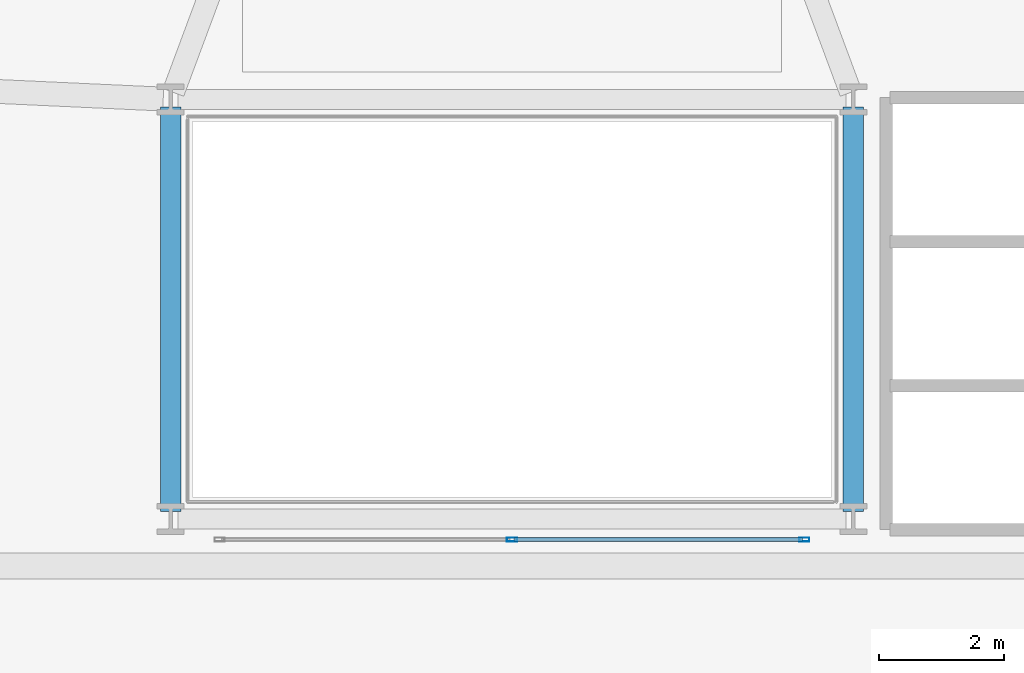
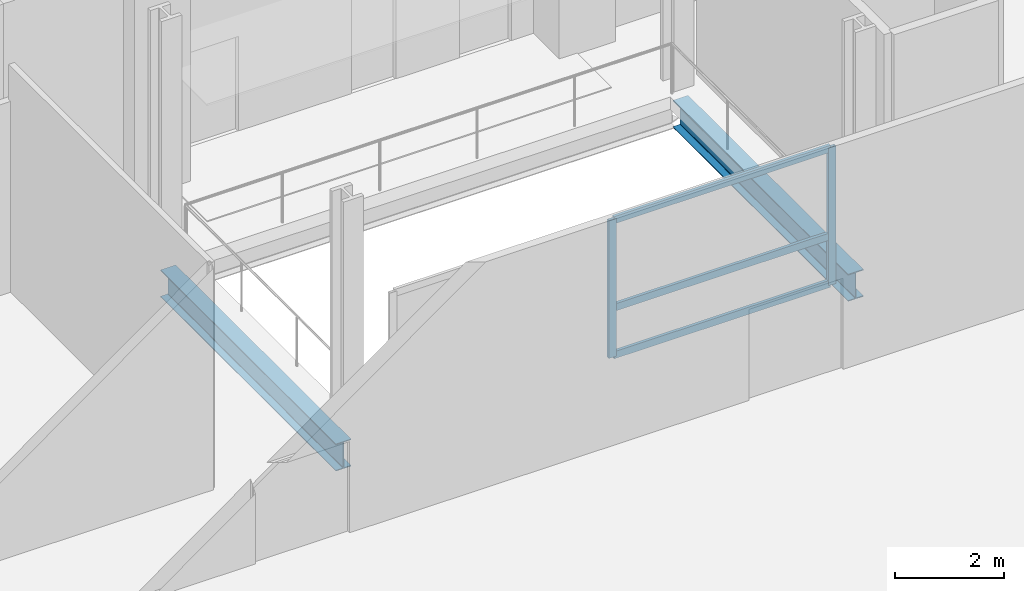
# One storey, part 12 of 31: 5 members, 2 beams, 1 element without a shape of its own.
"""IFC4 building model written with IfcOpenShell, lengths in metres."""

from ifc_helpers import new_model, si_unit, direction, frame, origin, origin_2d, place, context, subcontext, project, spatial, hollow_rectangle, i_section, extrude, material, layer, layer_set, material_profile, profile_set, type_object, element, aggregate, save


model = new_model("IFC4")

# Units and contexts
model_context = context("Model", 3, precision=1e-05, world=origin(), true_north=direction((0.0, 1.0)))
body_context = subcontext(model_context, "Body", "Model", "MODEL_VIEW")
ifc_project = project(units=[si_unit("LENGTHUNIT", "METRE"), si_unit("AREAUNIT", "SQUARE_METRE"), si_unit("VOLUMEUNIT", "CUBIC_METRE"), si_unit("PLANEANGLEUNIT", "RADIAN"), si_unit("MASSUNIT", "GRAM", prefix="KILO")], contexts=[model_context])

# Site, building, storey
site_placement = place(None, origin())
site = spatial("IfcSite", under=ifc_project, at=site_placement, CompositionType="ELEMENT")
building_placement = place(site_placement, origin())
building = spatial("IfcBuilding", under=site, at=building_placement, Name="Varnelok Gate Tower", CompositionType="ELEMENT")
storey_placement = place(building_placement, frame((0.0, 0.0, 16.199951171875)))
storey = spatial("IfcBuildingStorey", under=building, at=storey_placement, Name="L03", CompositionType="ELEMENT", Elevation=16.199951171875)

# Beams
ifc_material_1 = material(Name="Structural Steel ASTM A992 Grade 50", Category="steel")
ifc_material_profile_1 = material_profile(ifc_material_1, i_section(OverallWidth=0.323974609375, OverallDepth=0.611083984375, WebThickness=0.0126953125, FlangeThickness=0.01904296875, FilletRadius=0.01806640625, at=origin_2d()), Name="W24X104")
ifc_profile_set_1 = profile_set([ifc_material_profile_1], Name="Structural Steel ASTM A992 Grade 50")
beam_type = type_object("IfcBeamType", Name="BM-SPN-W24X104", PredefinedType="SPANDREL", material=ifc_profile_set_1)
for number, where, z_axis, x_axis, name in (
    (1, (33.75, 19.669921875, -0.58544921875), (0.0, 1.0, 0.0), (-1.0, 0.0, 0.0), "L03 Core-Atrium Spine Beam 10"),
    (2, (44.64990234375, 19.669921875, -0.58544921875), (0.0, 1.0, 0.0), (-1.0, 0.0, 0.0), "L03 Core-Atrium Spine Beam 11"),
):
    element("IfcBeam", number, at=place(storey_placement, frame(where, z_axis=z_axis, x_axis=x_axis)), inside=storey, type_object=beam_type, Name=name, PredefinedType="SPANDREL", context=body_context, shape_type="SweptSolid", body=[
        extrude(i_section(OverallWidth=0.323974609375, OverallDepth=0.611083984375, WebThickness=0.0126953125, FlangeThickness=0.01904296875, FilletRadius=0.01806640625, at=origin_2d()), origin(), (0.0, 0.0, 1.0), 6.4599609375),
    ])

# Curtain wall, members
ifc_material_2 = material(Name="Anodized Aluminum Alloy 6063-T6", Category="aluminium")
ifc_layer = layer(ifc_material_2, 0.179931640625)
ifc_layer_set = layer_set([ifc_layer], Name="Anodized Aluminum Alloy 6063-T6")
curtain_wall_type = type_object("IfcCurtainWallType", Name="CW2-ATRIUM-GLAZING", PredefinedType="USERDEFINED", material=ifc_layer_set)
curtain_wall_placement = place(storey_placement, origin())
curtain_wall = element("IfcCurtainWall", 3, at=curtain_wall_placement, inside=storey, type_object=curtain_wall_type, Name="L03 Internal Atrium Gallery Curtain Wall", ObjectType="UNITISED CURTAIN WALL", PredefinedType="USERDEFINED")
ifc_material_profile_2 = material_profile(ifc_material_2, hollow_rectangle(XDim=0.06494140625, YDim=0.159912109375, WallThickness=0.00390625, at=origin_2d()), Name="ALU160X65X4")
ifc_profile_set_2 = profile_set([ifc_material_profile_2], Name="Anodized Aluminum Alloy 6063-T6")
member_type_1 = type_object("IfcMemberType", Name="CW-MULL-160", PredefinedType="MULLION", material=ifc_profile_set_2)
member_1_placement = place(storey_placement, frame((39.199951171875, 19.219970703125, 0.0), z_axis=(0.0, 0.0, 1.0), x_axis=(0.0, 1.0, 0.0)))
member_1 = element("IfcMember", 4, at=member_1_placement, type_object=member_type_1, Name="CW2 mullion 2", PredefinedType="MULLION", context=body_context, shape_type="SweptSolid", body=[
    extrude(hollow_rectangle(XDim=0.06494140625, YDim=0.159912109375, WallThickness=0.00390625, at=origin_2d()), origin(), (0.0, 0.0, 1.0), 3.10009765625),
])
member_2_placement = place(storey_placement, frame((43.867431640625, 19.219970703125, 0.0), z_axis=(0.0, 0.0, 1.0), x_axis=(0.0, 1.0, 0.0)))
member_2 = element("IfcMember", 5, at=member_2_placement, type_object=member_type_1, Name="CW2 mullion 3", PredefinedType="MULLION", context=body_context, shape_type="SweptSolid", body=[
    extrude(hollow_rectangle(XDim=0.06494140625, YDim=0.159912109375, WallThickness=0.00390625, at=origin_2d()), origin(), (0.0, 0.0, 1.0), 3.10009765625),
])
ifc_material_profile_3 = material_profile(ifc_material_2, hollow_rectangle(XDim=0.06494140625, YDim=0.159912109375, WallThickness=0.00390625, at=origin_2d()), Name="ALU160X65X4")
ifc_profile_set_3 = profile_set([ifc_material_profile_3], Name="Anodized Aluminum Alloy 6063-T6")
member_type_2 = type_object("IfcMemberType", Name="CW-TRAN-160", PredefinedType="USERDEFINED", material=ifc_profile_set_3)
member_3_placement = place(storey_placement, frame((39.232421875, 19.219970703125, 0.032470703125), z_axis=(1.0, 0.0, 0.0), x_axis=(0.0, 1.0, 0.0)))
member_3 = element("IfcMember", 6, at=member_3_placement, type_object=member_type_2, Name="CW2 transom 2.1", ObjectType="TRANSOM", PredefinedType="USERDEFINED", context=body_context, shape_type="SweptSolid", body=[
    extrude(hollow_rectangle(XDim=0.06494140625, YDim=0.159912109375, WallThickness=0.00390625, at=origin_2d()), origin(), (0.0, 0.0, 1.0), 4.6025390625),
])
member_4_placement = place(storey_placement, frame((39.232421875, 19.219970703125, 1.10009765625), z_axis=(1.0, 0.0, 0.0), x_axis=(0.0, 1.0, 0.0)))
member_4 = element("IfcMember", 7, at=member_4_placement, type_object=member_type_2, Name="CW2 transom 2.2", ObjectType="TRANSOM", PredefinedType="USERDEFINED", context=body_context, shape_type="SweptSolid", body=[
    extrude(hollow_rectangle(XDim=0.06494140625, YDim=0.159912109375, WallThickness=0.00390625, at=origin_2d()), origin(), (0.0, 0.0, 1.0), 4.6025390625),
])
member_5_placement = place(storey_placement, frame((39.232421875, 19.219970703125, 3.067626953125), z_axis=(1.0, 0.0, 0.0), x_axis=(0.0, 1.0, 0.0)))
member_5 = element("IfcMember", 8, at=member_5_placement, type_object=member_type_2, Name="CW2 transom 2.3", ObjectType="TRANSOM", PredefinedType="USERDEFINED", context=body_context, shape_type="SweptSolid", body=[
    extrude(hollow_rectangle(XDim=0.06494140625, YDim=0.159912109375, WallThickness=0.00390625, at=origin_2d()), origin(), (0.0, 0.0, 1.0), 4.6025390625),
])
aggregate(curtain_wall, [member_1, member_2, member_3, member_4, member_5])

save(model, "model.ifc")
